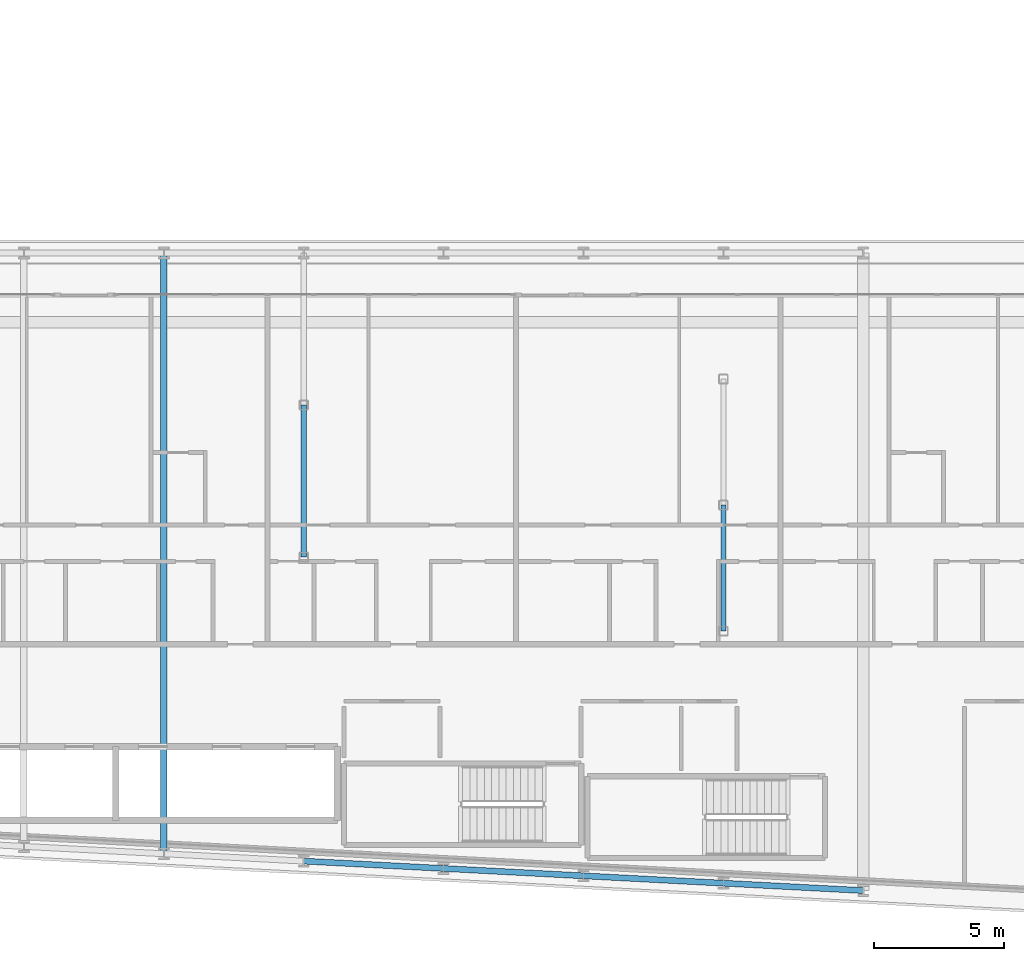
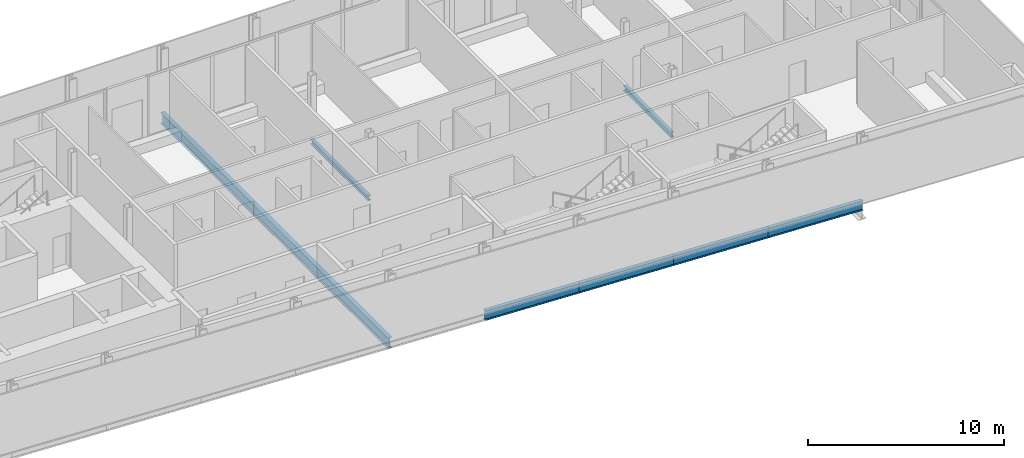
# One storey, part 5 of 27: 7 beams.
"""IFC4 building model written with IfcOpenShell, lengths in metres."""

from ifc_helpers import new_model, si_unit, direction, frame, origin, origin_2d, place, context, subcontext, project, spatial, i_section, extrude, material, material_profile, profile_set, type_object, element, save


model = new_model("IFC4")

# Units and contexts
model_context = context("Model", 3, precision=1e-05, world=origin(), true_north=direction((0.0, 1.0)))
body_context = subcontext(model_context, "Body", "Model", "MODEL_VIEW")
ifc_project = project(units=[si_unit("LENGTHUNIT", "METRE"), si_unit("AREAUNIT", "SQUARE_METRE"), si_unit("VOLUMEUNIT", "CUBIC_METRE"), si_unit("PLANEANGLEUNIT", "RADIAN"), si_unit("MASSUNIT", "GRAM", prefix="KILO")], contexts=[model_context])

# Site, building, storey
site_placement = place(None, origin())
site = spatial("IfcSite", under=ifc_project, at=site_placement, CompositionType="ELEMENT")
building_placement = place(site_placement, origin())
building = spatial("IfcBuilding", under=site, at=building_placement, Name="Kheshtan School and Residences Tower", CompositionType="ELEMENT")
storey_placement = place(building_placement, frame((0.0, 0.0, 101.89990234375)))
storey = spatial("IfcBuildingStorey", under=building, at=storey_placement, Name="L23", CompositionType="ELEMENT", Elevation=101.89990234375)

# Beams
ifc_material = material(Name="Steel ASTM A992 Grade 50", Category="steel")
ifc_material_profile_1 = material_profile(ifc_material, i_section(OverallWidth=0.202880859375, OverallDepth=0.302978515625, WebThickness=0.007568359375, FlangeThickness=0.01318359375, FilletRadius=0.009033203125, at=origin_2d()), Name="W310x60")
ifc_profile_set_1 = profile_set([ifc_material_profile_1], Name="Steel ASTM A992 Grade 50")
beam_type_1 = type_object("IfcBeamType", Name="Beam FB1 W310x60 ASTM A992 Grade 50", PredefinedType="BEAM", material=ifc_profile_set_1)
beam_1_placement = place(storey_placement, frame((85.39990234375, 31.0048828125, -0.301513671875), z_axis=(0.0, 1.0, 0.0), x_axis=(-1.0, 0.0, 0.0)))
element("IfcBeam", 1, at=beam_1_placement, inside=storey, type_object=beam_type_1, Name="Floor beam IC", PredefinedType="BEAM", context=body_context, shape_type="SweptSolid", body=[
    extrude(i_section(OverallWidth=0.202880859375, OverallDepth=0.302978515625, WebThickness=0.007568359375, FlangeThickness=0.01318359375, FilletRadius=0.009033203125, at=origin_2d()), origin(), (0.0, 0.0, 1.0), 4.865234375),
])
beam_2_placement = place(storey_placement, frame((69.199951171875, 33.863037109375, -0.301513671875), z_axis=(0.0, 1.0, 0.0), x_axis=(-1.0, 0.0, 0.0)))
element("IfcBeam", 2, at=beam_2_placement, inside=storey, type_object=beam_type_1, Name="Floor beam IC", PredefinedType="BEAM", context=body_context, shape_type="SweptSolid", body=[
    extrude(i_section(OverallWidth=0.202880859375, OverallDepth=0.302978515625, WebThickness=0.007568359375, FlangeThickness=0.01318359375, FilletRadius=0.009033203125, at=origin_2d()), origin(), (0.0, 0.0, 1.0), 5.868896484375),
])
ifc_material_profile_2 = material_profile(ifc_material, i_section(OverallWidth=0.2529296875, OverallDepth=0.677978515625, WebThickness=0.01171875, FlangeThickness=0.016357421875, FilletRadius=0.0146484375, at=origin_2d()), Name="W690x125")
ifc_profile_set_2 = profile_set([ifc_material_profile_2], Name="Steel ASTM A992 Grade 50")
beam_type_2 = type_object("IfcBeamType", Name="Beam FB6 W690x125 ASTM A992 Grade 50", PredefinedType="BEAM", material=ifc_profile_set_2)
beam_3_placement = place(storey_placement, frame((63.800048828125, 22.410888671875, -0.489013671875), z_axis=(0.0, 1.0, 0.0), x_axis=(-1.0, 0.0, 0.0)))
element("IfcBeam", 3, at=beam_3_placement, inside=storey, type_object=beam_type_2, Name="Floor beam C016", PredefinedType="BEAM", context=body_context, shape_type="SweptSolid", body=[
    extrude(i_section(OverallWidth=0.2529296875, OverallDepth=0.677978515625, WebThickness=0.01171875, FlangeThickness=0.016357421875, FilletRadius=0.0146484375, at=origin_2d()), origin(), (0.0, 0.0, 1.0), 23.189208984375),
])
ifc_material_profile_3 = material_profile(ifc_material, i_section(OverallWidth=0.22802734375, OverallDepth=0.60302734375, WebThickness=0.010498046875, FlangeThickness=0.014892578125, FilletRadius=0.013427734375, at=origin_2d()), Name="W610x101")
ifc_profile_set_3 = profile_set([ifc_material_profile_3], Name="Steel ASTM A992 Grade 50")
beam_type_3 = type_object("IfcBeamType", Name="Beam SP2 W610x101 ASTM A992 Grade 50", PredefinedType="BEAM", material=ifc_profile_set_3)
beam_4_placement = place(storey_placement, frame((90.800048828125, 20.989990234375, -0.451416015625), z_axis=(-0.998620571751, 0.05250670125, 0.0), x_axis=(-0.05250670125, -0.998620571751, 0.0)))
element("IfcBeam", 4, at=beam_4_placement, inside=storey, type_object=beam_type_3, Name="Spandrel beam C006-C008", PredefinedType="BEAM", context=body_context, shape_type="SweptSolid", body=[
    extrude(i_section(OverallWidth=0.22802734375, OverallDepth=0.60302734375, WebThickness=0.010498046875, FlangeThickness=0.014892578125, FilletRadius=0.013427734375, at=origin_2d()), origin(), (0.0, 0.0, 1.0), 5.40771484375),
])
for number, where, z_axis, x_axis, name in (
    (5, (85.39990234375, 21.27392578125, -0.451416015625), (-0.998618078766, 0.052554093665, 0.0), (-0.052554093665, -0.998618078766, 0.0), "Spandrel beam C008-C012"),
    (6, (80.0, 21.55810546875, -0.451416015625), (-0.998610961136, 0.052689166816, 0.0), (-0.052689166816, -0.998610961136, 0.0), "Spandrel beam C012-C013"),
):
    element("IfcBeam", number, at=place(storey_placement, frame(where, z_axis=z_axis, x_axis=x_axis)), inside=storey, type_object=beam_type_3, Name=name, PredefinedType="BEAM", context=body_context, shape_type="SweptSolid", body=[
        extrude(i_section(OverallWidth=0.22802734375, OverallDepth=0.60302734375, WebThickness=0.010498046875, FlangeThickness=0.014892578125, FilletRadius=0.013427734375, at=origin_2d()), origin(), (0.0, 0.0, 1.0), 5.407470703125),
    ])
beam_5_placement = place(storey_placement, frame((74.60009765625, 21.843017578125, -0.451416015625), z_axis=(-0.998620571751, 0.05250670125, 0.0), x_axis=(-0.05250670125, -0.998620571751, 0.0)))
element("IfcBeam", 7, at=beam_5_placement, inside=storey, type_object=beam_type_3, Name="Spandrel beam C013-C014", PredefinedType="BEAM", context=body_context, shape_type="SweptSolid", body=[
    extrude(i_section(OverallWidth=0.22802734375, OverallDepth=0.60302734375, WebThickness=0.010498046875, FlangeThickness=0.014892578125, FilletRadius=0.013427734375, at=origin_2d()), origin(), (0.0, 0.0, 1.0), 5.40771484375),
])

save(model, "model.ifc")
